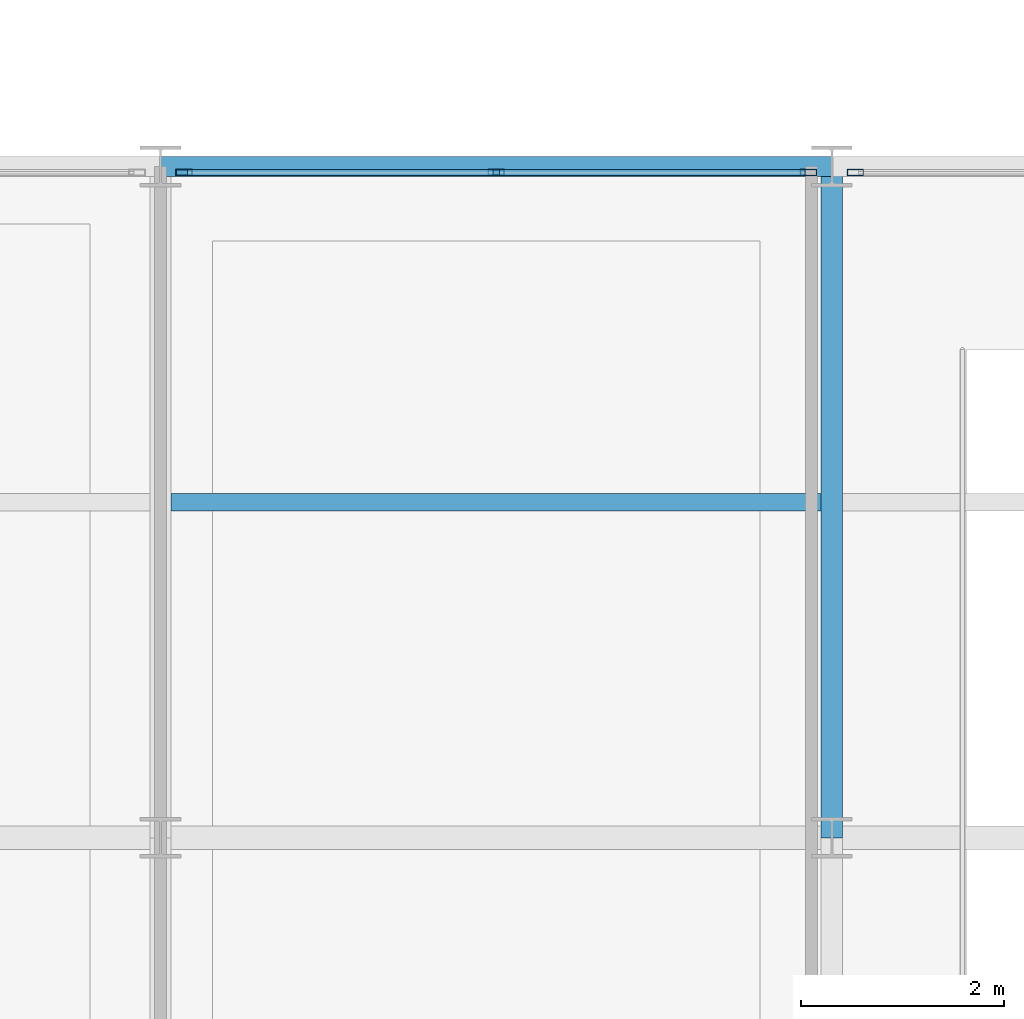
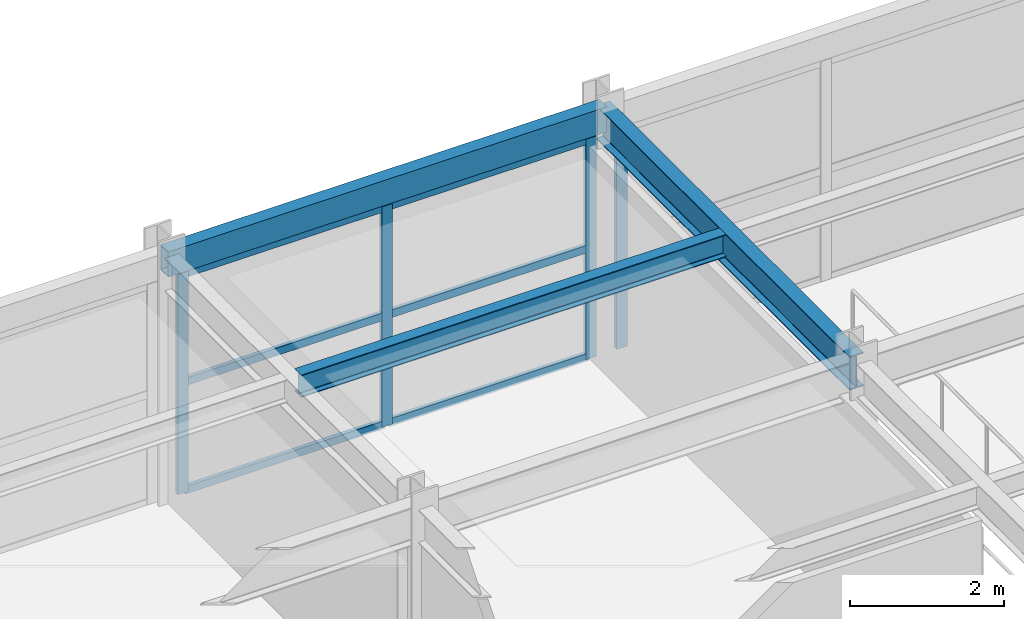
# One storey, part 92 of 147: 10 members, 3 beams, 2 elements without a shape of their own.
"""IFC4 building model written with IfcOpenShell, lengths in metres."""

from ifc_helpers import new_model, si_unit, direction, frame, origin, origin_2d, place, context, subcontext, project, spatial, hollow_rectangle, i_section, extrude, material, material_profile, profile_set, type_object, element, aggregate, save


model = new_model("IFC4")

# Units and contexts
model_context = context("Model", 3, precision=1e-05, world=origin(), true_north=direction((0.0, 1.0)))
body_context = subcontext(model_context, "Body", "Model", "MODEL_VIEW")
ifc_project = project(units=[si_unit("LENGTHUNIT", "METRE"), si_unit("AREAUNIT", "SQUARE_METRE"), si_unit("VOLUMEUNIT", "CUBIC_METRE"), si_unit("PLANEANGLEUNIT", "RADIAN"), si_unit("MASSUNIT", "GRAM", prefix="KILO")], contexts=[model_context])

# Site, building, storey
site_placement = place(None, origin())
site = spatial("IfcSite", under=ifc_project, at=site_placement, CompositionType="ELEMENT")
building_placement = place(site_placement, origin())
building = spatial("IfcBuilding", under=site, at=building_placement, Name="Karori Crest Natural Sciences Institute", CompositionType="ELEMENT")
storey_placement = place(building_placement, frame((0.0, 0.0, 9.10009765625)))
storey = spatial("IfcBuildingStorey", under=building, at=storey_placement, Name="L02", CompositionType="ELEMENT", Elevation=9.10009765625)

# Beams
ifc_material_1 = material(Name="Structural steel AS/NZS 3679.1 Grade 350", Category="steel")
ifc_material_profile_1 = material_profile(ifc_material_1, i_section(OverallWidth=0.208984375, OverallDepth=0.532958984375, WebThickness=0.01025390625, FlangeThickness=0.015625, FilletRadius=0.013916015625, at=origin_2d()), Name="530UB92.4")
ifc_profile_set_1 = profile_set([ifc_material_profile_1], Name="Structural steel AS/NZS 3679.1 Grade 350")
beam_type_1 = type_object("IfcBeamType", Name="BT-05", PredefinedType="BEAM", material=ifc_profile_set_1)
beam_1_placement = place(storey_placement, frame((143.199951171875, 14.0, 3.6533203125), z_axis=(0.0, 1.0, 0.0), x_axis=(-1.0, 0.0, 0.0)))
element("IfcBeam", 1, at=beam_1_placement, inside=storey, type_object=beam_type_1, Name="Beam B-2249", PredefinedType="BEAM", context=body_context, shape_type="SweptSolid", body=[
    extrude(i_section(OverallWidth=0.208984375, OverallDepth=0.532958984375, WebThickness=0.01025390625, FlangeThickness=0.015625, FilletRadius=0.013916015625, at=origin_2d()), origin(), (0.0, 0.0, 1.0), 6.60009765625),
])
ifc_material_profile_2 = material_profile(ifc_material_1, i_section(OverallWidth=0.172119140625, OverallDepth=0.35888671875, WebThickness=0.008056640625, FlangeThickness=0.012939453125, FilletRadius=0.010986328125, at=origin_2d()), Name="360UB56.7")
ifc_profile_set_2 = profile_set([ifc_material_profile_2], Name="Structural steel AS/NZS 3679.1 Grade 350")
beam_type_2 = type_object("IfcBeamType", Name="BT-08", PredefinedType="BEAM", material=ifc_profile_set_2)
beam_2_placement = place(storey_placement, frame((136.70458984375, 17.300048828125, 3.740478515625), z_axis=(1.0, 0.0, 0.0), x_axis=(0.0, 1.0, 0.0)))
element("IfcBeam", 2, at=beam_2_placement, inside=storey, type_object=beam_type_2, Name="Beam B-2272", PredefinedType="BEAM", context=body_context, shape_type="SweptSolid", body=[
    extrude(i_section(OverallWidth=0.172119140625, OverallDepth=0.35888671875, WebThickness=0.008056640625, FlangeThickness=0.012939453125, FilletRadius=0.010986328125, at=origin_2d()), origin(), (0.0, 0.0, 1.0), 6.390869140625),
])
ifc_material_2 = material(Name="Hollow structural steel AS/NZS 1163 Grade C350", Category="steel")
ifc_material_profile_3 = material_profile(ifc_material_2, hollow_rectangle(XDim=0.199951171875, YDim=0.39990234375, WallThickness=0.012451171875, at=origin_2d()), Name="RHS400x200x12.5")
ifc_profile_set_3 = profile_set([ifc_material_profile_3], Name="Hollow structural steel AS/NZS 1163 Grade C350")
beam_type_3 = type_object("IfcBeamType", Name="BT-14", PredefinedType="SPANDREL", material=ifc_profile_set_3)
beam_3_placement = place(storey_placement, frame((136.60009765625, 20.60009765625, 3.719970703125), z_axis=(1.0, 0.0, 0.0), x_axis=(0.0, 1.0, 0.0)))
element("IfcBeam", 3, at=beam_3_placement, inside=storey, type_object=beam_type_3, Name="Beam B-2225", PredefinedType="SPANDREL", context=body_context, shape_type="SweptSolid", body=[
    extrude(hollow_rectangle(XDim=0.199951171875, YDim=0.39990234375, WallThickness=0.012451171875, at=origin_2d()), origin(), (0.0, 0.0, 1.0), 6.599853515625),
])

# Curtain wall, members
ifc_material_3 = material(Name="Anodised architectural aluminium 6063-T6", Category="aluminium")
curtain_wall_type = type_object("IfcCurtainWallType", Name="CWT-20", PredefinedType="NOTDEFINED", material=ifc_material_3)
curtain_wall_1_placement = place(storey_placement, origin())
curtain_wall_1 = element("IfcCurtainWall", 4, at=curtain_wall_1_placement, inside=storey, type_object=curtain_wall_type, Name="Curtain wall CW-0318", PredefinedType="NOTDEFINED")
ifc_material_profile_4 = material_profile(ifc_material_3, hollow_rectangle(XDim=0.06494140625, YDim=0.159912109375, WallThickness=0.00390625, at=origin_2d()), Name="CWM160x65x4")
ifc_profile_set_4 = profile_set([ifc_material_profile_4], Name="Anodised architectural aluminium 6063-T6")
member_type_1 = type_object("IfcMemberType", Name="CWM-01", PredefinedType="MULLION", material=ifc_profile_set_4)
member_1_placement = place(storey_placement, frame((136.83056640625, 20.5400390625, 0.0), z_axis=(0.0, 0.0, 1.0), x_axis=(0.0, 1.0, 0.0)))
member_1 = element("IfcMember", 5, at=member_1_placement, type_object=member_type_1, Name="CW-0318 mullion 1", PredefinedType="MULLION", context=body_context, shape_type="SweptSolid", body=[
    extrude(hollow_rectangle(XDim=0.06494140625, YDim=0.159912109375, WallThickness=0.00390625, at=origin_2d()), origin(), (0.0, 0.0, 1.0), 3.5048828125),
])
member_2_placement = place(storey_placement, frame((139.89990234375, 20.5400390625, 0.0), z_axis=(0.0, 0.0, 1.0), x_axis=(0.0, 1.0, 0.0)))
member_2 = element("IfcMember", 6, at=member_2_placement, type_object=member_type_1, Name="CW-0318 mullion 2", PredefinedType="MULLION", context=body_context, shape_type="SweptSolid", body=[
    extrude(hollow_rectangle(XDim=0.06494140625, YDim=0.159912109375, WallThickness=0.00390625, at=origin_2d()), origin(), (0.0, 0.0, 1.0), 3.5048828125),
])
member_3_placement = place(storey_placement, frame((142.969482421875, 20.5400390625, 0.0), z_axis=(0.0, 0.0, 1.0), x_axis=(0.0, 1.0, 0.0)))
member_3 = element("IfcMember", 7, at=member_3_placement, type_object=member_type_1, Name="CW-0318 mullion 3", PredefinedType="MULLION", context=body_context, shape_type="SweptSolid", body=[
    extrude(hollow_rectangle(XDim=0.06494140625, YDim=0.159912109375, WallThickness=0.00390625, at=origin_2d()), origin(), (0.0, 0.0, 1.0), 3.5048828125),
])

# Curtain wall, member
curtain_wall_2_placement = place(storey_placement, origin())
curtain_wall_2 = element("IfcCurtainWall", 8, at=curtain_wall_2_placement, inside=storey, type_object=curtain_wall_type, Name="Curtain wall CW-0319", PredefinedType="NOTDEFINED")
member_4_placement = place(storey_placement, frame((143.430419921875, 20.5400390625, 0.0), z_axis=(0.0, 0.0, 1.0), x_axis=(0.0, 1.0, 0.0)))
member_4 = element("IfcMember", 9, at=member_4_placement, type_object=member_type_1, Name="CW-0319 mullion 1", PredefinedType="MULLION", context=body_context, shape_type="SweptSolid", body=[
    extrude(hollow_rectangle(XDim=0.06494140625, YDim=0.159912109375, WallThickness=0.00390625, at=origin_2d()), origin(), (0.0, 0.0, 1.0), 3.5048828125),
])
aggregate(curtain_wall_2, [member_4])

# Member
ifc_material_profile_5 = material_profile(ifc_material_3, hollow_rectangle(XDim=0.06005859375, YDim=0.1201171875, WallThickness=0.00390625, at=origin_2d()), Name="CWT120x60x4")
ifc_profile_set_5 = profile_set([ifc_material_profile_5], Name="Anodised architectural aluminium 6063-T6")
member_type_2 = type_object("IfcMemberType", Name="CWT-TR1", PredefinedType="USERDEFINED", material=ifc_profile_set_5)
member_5_placement = place(storey_placement, frame((136.863037109375, 20.5400390625, 0.02978515625), z_axis=(1.0, 0.0, 0.0), x_axis=(0.0, 1.0, 0.0)))
member_5 = element("IfcMember", 10, at=member_5_placement, type_object=member_type_2, Name="CW-0318 transom 1.1", ObjectType="TRANSOM", PredefinedType="USERDEFINED", context=body_context, shape_type="SweptSolid", body=[
    extrude(hollow_rectangle(XDim=0.06005859375, YDim=0.1201171875, WallThickness=0.00390625, at=origin_2d()), origin(), (0.0, 0.0, 1.0), 3.00439453125),
])

member_6_placement = place(storey_placement, frame((136.863037109375, 20.5400390625, 1.75244140625), z_axis=(1.0, 0.0, 0.0), x_axis=(0.0, 1.0, 0.0)))
member_6 = element("IfcMember", 11, at=member_6_placement, type_object=member_type_2, Name="CW-0318 transom 1.2", ObjectType="TRANSOM", PredefinedType="USERDEFINED", context=body_context, shape_type="SweptSolid", body=[
    extrude(hollow_rectangle(XDim=0.06005859375, YDim=0.1201171875, WallThickness=0.00390625, at=origin_2d()), origin(), (0.0, 0.0, 1.0), 3.00439453125),
])

member_7_placement = place(storey_placement, frame((136.863037109375, 20.5400390625, 3.474853515625), z_axis=(1.0, 0.0, 0.0), x_axis=(0.0, 1.0, 0.0)))
member_7 = element("IfcMember", 12, at=member_7_placement, type_object=member_type_2, Name="CW-0318 transom 1.3", ObjectType="TRANSOM", PredefinedType="USERDEFINED", context=body_context, shape_type="SweptSolid", body=[
    extrude(hollow_rectangle(XDim=0.06005859375, YDim=0.1201171875, WallThickness=0.00390625, at=origin_2d()), origin(), (0.0, 0.0, 1.0), 3.00439453125),
])

member_8_placement = place(storey_placement, frame((139.9326171875, 20.5400390625, 0.02978515625), z_axis=(1.0, 0.0, 0.0), x_axis=(0.0, 1.0, 0.0)))
member_8 = element("IfcMember", 13, at=member_8_placement, type_object=member_type_2, Name="CW-0318 transom 2.1", ObjectType="TRANSOM", PredefinedType="USERDEFINED", context=body_context, shape_type="SweptSolid", body=[
    extrude(hollow_rectangle(XDim=0.06005859375, YDim=0.1201171875, WallThickness=0.00390625, at=origin_2d()), origin(), (0.0, 0.0, 1.0), 3.00439453125),
])

member_9_placement = place(storey_placement, frame((139.9326171875, 20.5400390625, 1.75244140625), z_axis=(1.0, 0.0, 0.0), x_axis=(0.0, 1.0, 0.0)))
member_9 = element("IfcMember", 14, at=member_9_placement, type_object=member_type_2, Name="CW-0318 transom 2.2", ObjectType="TRANSOM", PredefinedType="USERDEFINED", context=body_context, shape_type="SweptSolid", body=[
    extrude(hollow_rectangle(XDim=0.06005859375, YDim=0.1201171875, WallThickness=0.00390625, at=origin_2d()), origin(), (0.0, 0.0, 1.0), 3.00439453125),
])

member_10_placement = place(storey_placement, frame((139.9326171875, 20.5400390625, 3.474853515625), z_axis=(1.0, 0.0, 0.0), x_axis=(0.0, 1.0, 0.0)))
member_10 = element("IfcMember", 15, at=member_10_placement, type_object=member_type_2, Name="CW-0318 transom 2.3", ObjectType="TRANSOM", PredefinedType="USERDEFINED", context=body_context, shape_type="SweptSolid", body=[
    extrude(hollow_rectangle(XDim=0.06005859375, YDim=0.1201171875, WallThickness=0.00390625, at=origin_2d()), origin(), (0.0, 0.0, 1.0), 3.00439453125),
])

aggregate(curtain_wall_1, [member_1, member_2, member_3, member_5, member_6, member_7, member_8, member_9, member_10])

save(model, "model.ifc")
